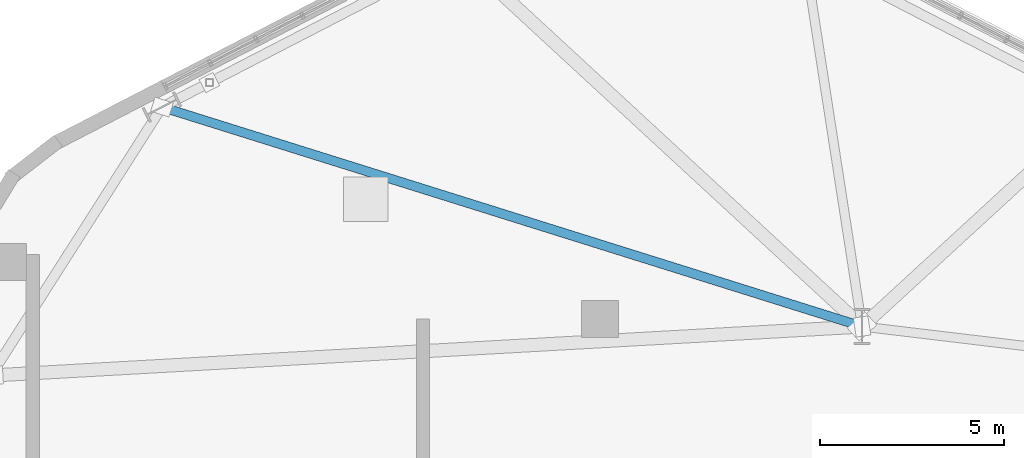
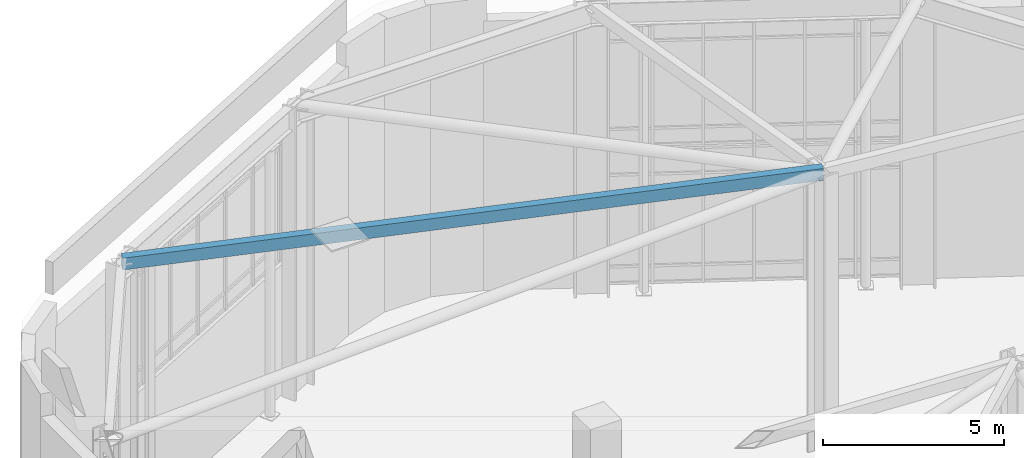
# One storey, part 11 of 23: 1 member.
"""IFC4 building model written with IfcOpenShell, lengths in metres."""

from ifc_helpers import new_model, si_unit, direction, frame, origin, origin_2d, place, context, subcontext, project, spatial, hollow_rectangle, extrude, material, material_profile, profile_set, type_object, element, save


model = new_model("IFC4")

# Units and contexts
model_context = context("Model", 3, precision=1e-05, world=origin(), true_north=direction((0.0, 1.0)))
body_context = subcontext(model_context, "Body", "Model", "MODEL_VIEW")
ifc_project = project(units=[si_unit("LENGTHUNIT", "METRE"), si_unit("AREAUNIT", "SQUARE_METRE"), si_unit("VOLUMEUNIT", "CUBIC_METRE"), si_unit("PLANEANGLEUNIT", "RADIAN"), si_unit("MASSUNIT", "GRAM", prefix="KILO"), si_unit("THERMODYNAMICTEMPERATUREUNIT", "KELVIN"), si_unit("POWERUNIT", "WATT")], contexts=[model_context])

# Site, building, storey
site_placement = place(None, origin())
site = spatial("IfcSite", under=ifc_project, at=site_placement, CompositionType="ELEMENT")
building_placement = place(site_placement, origin())
building = spatial("IfcBuilding", under=site, at=building_placement, Name="Skarre Station Tower", CompositionType="ELEMENT")
storey_placement = place(building_placement, frame((0.0, 0.0, 291.300048828125)))
storey = spatial("IfcBuildingStorey", under=building, at=storey_placement, Name="RF", CompositionType="ELEMENT", Elevation=291.300048828125)

# Member
ifc_material = material(Name="Steel ASTM A500 Grade C", Category="steel")
ifc_material_profile = material_profile(ifc_material, hollow_rectangle(XDim=0.25, YDim=0.39990234375, WallThickness=0.01611328125, at=origin_2d()), Name="Steel ASTM A500 Grade C")
ifc_profile_set = profile_set([ifc_material_profile], Name="Steel ASTM A500 Grade C")
member_type = type_object("IfcMemberType", Name="Steel Truss Purlin HSS400X250X16", PredefinedType="PURLIN", material=ifc_profile_set)
member_placement = place(storey_placement, frame((39.449951171875, 29.35009765625, 9.679931640625), z_axis=(-0.954226684552, 0.299084326717, 0.0), x_axis=(-0.299084326717, -0.954226684552, 0.0)))
element("IfcMember", 1, at=member_placement, inside=storey, type_object=member_type, Name="RF Crown Lantern Roof Purlin 4", PredefinedType="PURLIN", context=body_context, shape_type="SweptSolid", body=[
    extrude(hollow_rectangle(XDim=0.25, YDim=0.39990234375, WallThickness=0.01611328125, at=origin_2d()), origin(), (0.0, 0.0, 1.0), 19.887451171875),
])

save(model, "model.ifc")
